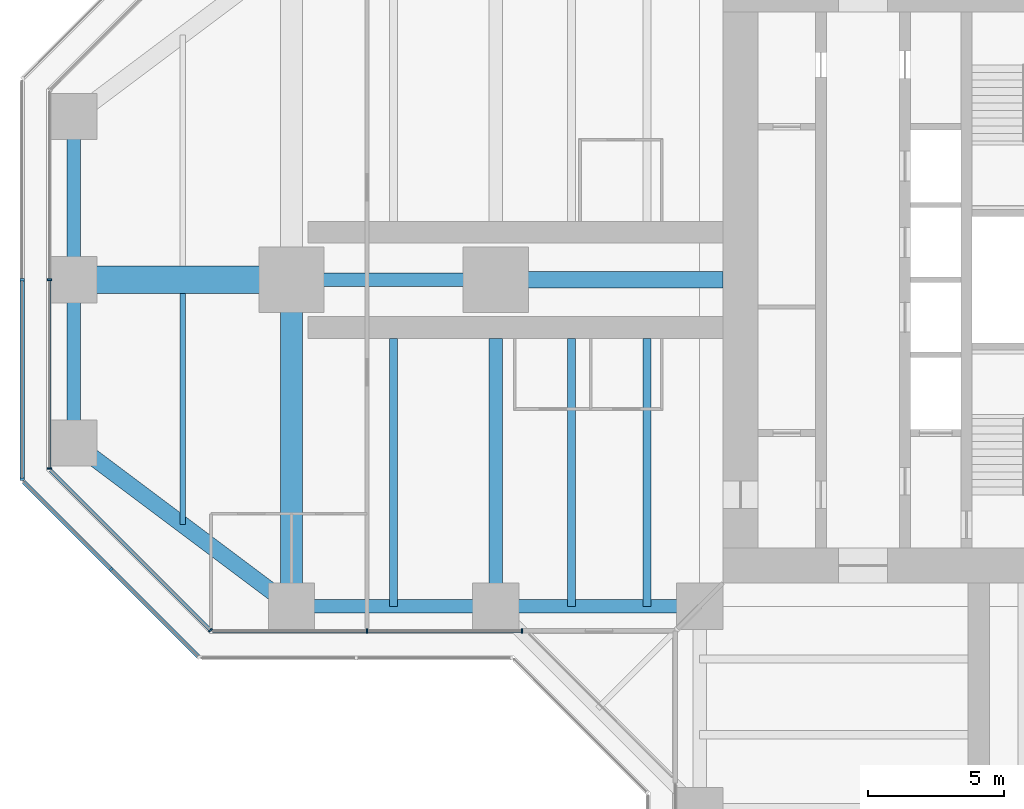
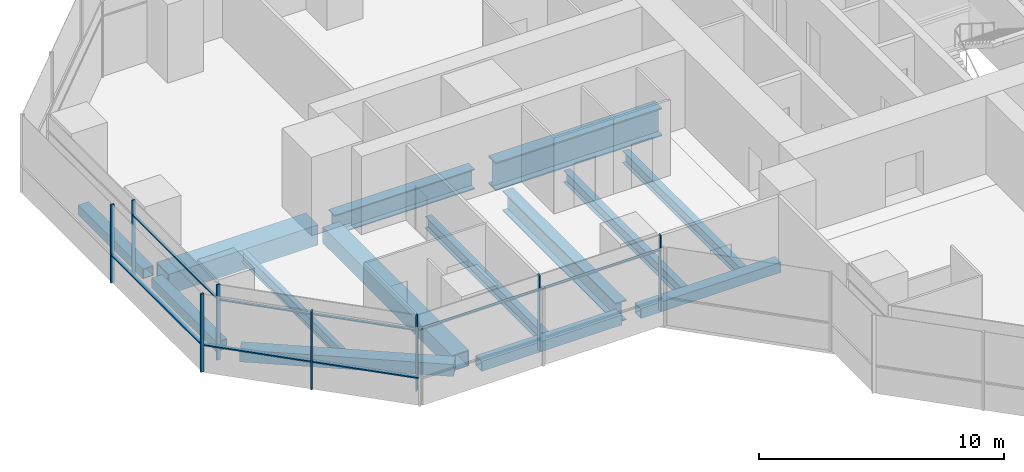
# One storey, part 3 of 20: 15 members, 14 beams, 5 elements without a shape of their own.
"""IFC4 building model written with IfcOpenShell, lengths in metres."""

from ifc_helpers import new_model, si_unit, direction, frame, origin, origin_2d, place, context, subcontext, project, spatial, rectangle, hollow_rectangle, i_section, extrude, material, material_profile, profile_set, type_object, element, aggregate, save


model = new_model("IFC4")

# Units and contexts
model_context = context("Model", 3, precision=1e-05, world=origin(), true_north=direction((0.0, 1.0)))
body_context = subcontext(model_context, "Body", "Model", "MODEL_VIEW")
ifc_project = project(units=[si_unit("LENGTHUNIT", "METRE"), si_unit("AREAUNIT", "SQUARE_METRE"), si_unit("VOLUMEUNIT", "CUBIC_METRE"), si_unit("PLANEANGLEUNIT", "RADIAN"), si_unit("MASSUNIT", "GRAM", prefix="KILO")], contexts=[model_context])

# Site, building, storey
site_placement = place(None, origin())
site = spatial("IfcSite", under=ifc_project, at=site_placement, CompositionType="ELEMENT")
building_placement = place(site_placement, origin())
building = spatial("IfcBuilding", under=site, at=building_placement, Name="Mizan Broadcast Tower", CompositionType="ELEMENT")
storey_placement = place(building_placement, frame((0.0, 0.0, 143.699951171875)))
storey = spatial("IfcBuildingStorey", under=building, at=storey_placement, Name="L32", CompositionType="ELEMENT", Elevation=143.699951171875)

# Beams
ifc_material_1 = material(Name="Steel S355", Category="steel")
ifc_material_profile_1 = material_profile(ifc_material_1, hollow_rectangle(XDim=0.5, YDim=0.5, WallThickness=0.030029296875, at=origin_2d()), Name="BOX 500x500x30")
ifc_profile_set_1 = profile_set([ifc_material_profile_1], Name="Steel S355")
beam_type_1 = type_object("IfcBeamType", Name="EDGE BEAM BOX 500x500x30", PredefinedType="SPANDREL", material=ifc_profile_set_1)
beam_1_placement = place(storey_placement, frame((-35.0, 5.639892578125, -0.3798828125), z_axis=(0.0, -1.0, 0.0), x_axis=(1.0, 0.0, 0.0)))
element("IfcBeam", 1, at=beam_1_placement, inside=storey, type_object=beam_type_1, Name="Edge beam BOX 500x500x30 L32 west arm", PredefinedType="SPANDREL", context=body_context, shape_type="SweptSolid", body=[
    extrude(hollow_rectangle(XDim=0.5, YDim=0.5, WallThickness=0.030029296875, at=origin_2d()), origin(), (0.0, 0.0, 1.0), 5.27978515625),
])
for number, where, z_axis, x_axis, name in (
    (2, (-12.449951171875, -12.0, -0.3798828125), (-1.0, 0.0, 0.0), (0.0, -1.0, 0.0), "Edge beam BOX 500x500x30 L32 west arm"),
    (3, (-19.949951171875, -12.0, -0.3798828125), (-1.0, 0.0, 0.0), (0.0, -1.0, 0.0), "Edge beam BOX 500x500x30 L32 west arm"),
):
    element("IfcBeam", number, at=place(storey_placement, frame(where, z_axis=z_axis, x_axis=x_axis)), inside=storey, type_object=beam_type_1, Name=name, PredefinedType="SPANDREL", context=body_context, shape_type="SweptSolid", body=[
        extrude(hollow_rectangle(XDim=0.5, YDim=0.5, WallThickness=0.030029296875, at=origin_2d()), origin(), (0.0, 0.0, 1.0), 6.60009765625),
    ])
beam_2_placement = place(storey_placement, frame((-35.0, -5.639892578125, -0.3798828125), z_axis=(0.0, 1.0, 0.0), x_axis=(-1.0, 0.0, 0.0)))
element("IfcBeam", 4, at=beam_2_placement, inside=storey, type_object=beam_type_1, Name="Edge beam BOX 500x500x30 L32 west arm", PredefinedType="SPANDREL", context=body_context, shape_type="SweptSolid", body=[
    extrude(hollow_rectangle(XDim=0.5, YDim=0.5, WallThickness=0.030029296875, at=origin_2d()), origin(), (0.0, 0.0, 1.0), 5.27978515625),
])
ifc_material_2 = material(Name="Steel S355", Category="steel")
ifc_material_profile_2 = material_profile(ifc_material_2, hollow_rectangle(XDim=0.60009765625, YDim=0.60009765625, WallThickness=0.030029296875, at=origin_2d()), Name="BOX 600x600x30")
ifc_profile_set_2 = profile_set([ifc_material_profile_2], Name="Steel S355")
beam_type_2 = type_object("IfcBeamType", Name="EDGE BEAM BOX 600x600x30", PredefinedType="SPANDREL", material=ifc_profile_set_2)
beam_3_placement = place(storey_placement, frame((-27.47998046875, -11.639892578125, -0.429931640625), z_axis=(-0.800013316712, 0.599982243973, 0.0), x_axis=(-0.599982243973, -0.800013316712, 0.0)))
element("IfcBeam", 5, at=beam_3_placement, inside=storey, type_object=beam_type_2, Name="Edge beam BOX 600x600x30 L32 west arm", PredefinedType="SPANDREL", context=body_context, shape_type="SweptSolid", body=[
    extrude(hollow_rectangle(XDim=0.60009765625, YDim=0.60009765625, WallThickness=0.030029296875, at=origin_2d()), origin(), (0.0, 0.0, 1.0), 8.7998046875),
])
ifc_material_3 = material(Name="Steel S460", Category="steel")
ifc_material_profile_3 = material_profile(ifc_material_3, hollow_rectangle(XDim=1.0, YDim=1.0, WallThickness=0.06005859375, at=origin_2d()), Name="BOX 1000x1000x60")
ifc_profile_set_3 = profile_set([ifc_material_profile_3], Name="Steel S460")
beam_type_3 = type_object("IfcBeamType", Name="GIRDER BOX 1000x1000x60", PredefinedType="BEAM", material=ifc_profile_set_3)
beam_4_placement = place(storey_placement, frame((-27.47998046875, 0.0, -0.6298828125), z_axis=(-1.0, 0.0, 0.0), x_axis=(0.0, -1.0, 0.0)))
element("IfcBeam", 6, at=beam_4_placement, inside=storey, type_object=beam_type_3, Name="Girder BOX 1000x1000x60 L32 west arm", PredefinedType="BEAM", context=body_context, shape_type="SweptSolid", body=[
    extrude(hollow_rectangle(XDim=1.0, YDim=1.0, WallThickness=0.06005859375, at=origin_2d()), origin(), (0.0, 0.0, 1.0), 7.0400390625),
])
ifc_material_4 = material(Name="Steel S460", Category="steel")
ifc_material_profile_4 = material_profile(ifc_material_4, hollow_rectangle(XDim=0.800048828125, YDim=0.800048828125, WallThickness=0.050048828125, at=origin_2d()), Name="BOX 800x800x50")
ifc_profile_set_4 = profile_set([ifc_material_profile_4], Name="Steel S460")
beam_type_4 = type_object("IfcBeamType", Name="GIRDER BOX 800x800x50", PredefinedType="BEAM", material=ifc_profile_set_4)
beam_5_placement = place(storey_placement, frame((-27.0, -11.280029296875, -0.530029296875), z_axis=(0.0, 1.0, 0.0), x_axis=(-1.0, 0.0, 0.0)))
element("IfcBeam", 7, at=beam_5_placement, inside=storey, type_object=beam_type_4, Name="Girder BOX 800x800x50 L32 west arm", PredefinedType="BEAM", context=body_context, shape_type="SweptSolid", body=[
    extrude(hollow_rectangle(XDim=0.800048828125, YDim=0.800048828125, WallThickness=0.050048828125, at=origin_2d()), origin(), (0.0, 0.0, 1.0), 10.56005859375),
])
ifc_material_5 = material(Name="Steel S460", Category="steel")
ifc_material_profile_5 = material_profile(ifc_material_5, i_section(OverallWidth=0.5, OverallDepth=1.0, WebThickness=0.02490234375, FlangeThickness=0.050048828125, at=origin_2d()), Name="WPG 1000x500")
ifc_profile_set_5 = profile_set([ifc_material_profile_5], Name="Steel S460")
beam_type_5 = type_object("IfcBeamType", Name="GIRDER WPG 1000x500", PredefinedType="BEAM", material=ifc_profile_set_5)
beam_6_placement = place(storey_placement, frame((-19.949951171875, 0.0, -0.6298828125), z_axis=(-1.0, 0.0, 0.0), x_axis=(0.0, -1.0, 0.0)))
element("IfcBeam", 8, at=beam_6_placement, inside=storey, type_object=beam_type_5, Name="Girder WPG 1000x500 L32 west arm", PredefinedType="BEAM", context=body_context, shape_type="SweptSolid", body=[
    extrude(i_section(OverallWidth=0.5, OverallDepth=1.0, WebThickness=0.02490234375, FlangeThickness=0.050048828125, at=origin_2d()), origin(), (0.0, 0.0, 1.0), 6.60009765625),
])
beam_7_placement = place(storey_placement, frame((-19.5, -11.408935546875, -0.6298828125), z_axis=(0.0, 1.0, 0.0), x_axis=(-1.0, 0.0, 0.0)))
element("IfcBeam", 9, at=beam_7_placement, inside=storey, type_object=beam_type_5, Name="Girder WPG 1000x500 L32 west arm", PredefinedType="BEAM", context=body_context, shape_type="SweptSolid", body=[
    extrude(i_section(OverallWidth=0.5, OverallDepth=1.0, WebThickness=0.02490234375, FlangeThickness=0.050048828125, at=origin_2d()), origin(), (0.0, 0.0, 1.0), 9.259033203125),
])
ifc_material_6 = material(Name="Steel S460", Category="steel")
ifc_material_profile_6 = material_profile(ifc_material_6, i_section(OverallWidth=0.60009765625, OverallDepth=1.39990234375, WebThickness=0.02490234375, FlangeThickness=0.06005859375, at=origin_2d()), Name="WPG 1400x600")
ifc_profile_set_6 = profile_set([ifc_material_profile_6], Name="Steel S460")
beam_type_6 = type_object("IfcBeamType", Name="GIRDER WPG 1400x600", PredefinedType="BEAM", material=ifc_profile_set_6)
beam_8_placement = place(storey_placement, frame((-11.14990234375, 0.0, -0.829833984375), z_axis=(-1.0, 0.0, 0.0), x_axis=(0.0, -1.0, 0.0)))
element("IfcBeam", 10, at=beam_8_placement, inside=storey, type_object=beam_type_6, Name="Girder WPG 1400x600 L32 west arm", PredefinedType="BEAM", context=body_context, shape_type="SweptSolid", body=[
    extrude(i_section(OverallWidth=0.60009765625, OverallDepth=1.39990234375, WebThickness=0.02490234375, FlangeThickness=0.06005859375, at=origin_2d()), origin(), (0.0, 0.0, 1.0), 7.84912109375),
])

# Curtain wall, members
ifc_material_7 = material(Name="Aluminium framed glazing", Category="aluminium")
curtain_wall_type_1 = type_object("IfcCurtainWallType", Name="INNER SKIN MID ZONE", PredefinedType="USERDEFINED", material=ifc_material_7)
curtain_wall_1_placement = place(storey_placement, origin())
curtain_wall_1 = element("IfcCurtainWall", 11, at=curtain_wall_1_placement, inside=storey, type_object=curtain_wall_type_1, Name="Inner skin mid zone L32 W end", ObjectType="INNER SKIN MID ZONE", PredefinedType="USERDEFINED")
ifc_material_8 = material(Name="Aluminium, pale anodised", Category="aluminium")
ifc_material_profile_7 = material_profile(ifc_material_8, rectangle(XDim=0.159912109375, YDim=0.06005859375, at=origin_2d()), Name="MULLION 160x60")
ifc_profile_set_7 = profile_set([ifc_material_profile_7], Name="Aluminium, pale anodised")
member_type_1 = type_object("IfcMemberType", Name="INNER SKIN MULLION 60x160", PredefinedType="MULLION", material=ifc_profile_set_7)
member_1_placement = place(storey_placement, frame((-35.89990234375, 0.0, 0.0), z_axis=(0.0, 0.0, 1.0), x_axis=(1.0, 0.0, 0.0)))
member_1 = element("IfcMember", 12, at=member_1_placement, type_object=member_type_1, Name="Inner skin mid zone L32 W end mullion 2", PredefinedType="MULLION", context=body_context, shape_type="SweptSolid", body=[
    extrude(rectangle(XDim=0.159912109375, YDim=0.06005859375, at=origin_2d()), origin(), (0.0, 0.0, 1.0), 3.77001953125),
])
member_2_placement = place(storey_placement, frame((-35.89990234375, -6.928466796875, 0.0), z_axis=(0.0, 0.0, 1.0), x_axis=(1.0, 0.0, 0.0)))
member_2 = element("IfcMember", 13, at=member_2_placement, type_object=member_type_1, Name="Inner skin mid zone L32 W end mullion 3", PredefinedType="MULLION", context=body_context, shape_type="SweptSolid", body=[
    extrude(rectangle(XDim=0.159912109375, YDim=0.06005859375, at=origin_2d()), origin(), (0.0, 0.0, 1.0), 3.77001953125),
])

# Curtain wall, member
curtain_wall_2_placement = place(storey_placement, origin())
curtain_wall_2 = element("IfcCurtainWall", 14, at=curtain_wall_2_placement, inside=storey, type_object=curtain_wall_type_1, Name="Inner skin mid zone L32 W chamfer", ObjectType="INNER SKIN MID ZONE", PredefinedType="USERDEFINED")
member_3_placement = place(storey_placement, frame((-29.979736328125, -12.87890625, 0.0), z_axis=(0.0, 0.0, 1.0), x_axis=(0.707106781187, 0.707106781187, 0.0)))
member_3 = element("IfcMember", 15, at=member_3_placement, type_object=member_type_1, Name="Inner skin mid zone L32 W chamfer mullion 2", PredefinedType="MULLION", context=body_context, shape_type="SweptSolid", body=[
    extrude(rectangle(XDim=0.159912109375, YDim=0.06005859375, at=origin_2d()), origin(), (0.0, 0.0, 1.0), 3.77001953125),
])

# Curtain wall, members
curtain_wall_3_placement = place(storey_placement, origin())
curtain_wall_3 = element("IfcCurtainWall", 16, at=curtain_wall_3_placement, inside=storey, type_object=curtain_wall_type_1, Name="Inner skin mid zone L32 W side", ObjectType="INNER SKIN MID ZONE", PredefinedType="USERDEFINED")
member_4_placement = place(storey_placement, frame((-24.229248046875, -12.89990234375, 0.0), z_axis=(0.0, 0.0, 1.0), x_axis=(0.0, 1.0, 0.0)))
member_4 = element("IfcMember", 17, at=member_4_placement, type_object=member_type_1, Name="Inner skin mid zone L32 W side mullion 2", PredefinedType="MULLION", context=body_context, shape_type="SweptSolid", body=[
    extrude(rectangle(XDim=0.159912109375, YDim=0.06005859375, at=origin_2d()), origin(), (0.0, 0.0, 1.0), 3.77001953125),
])
member_5_placement = place(storey_placement, frame((-18.530029296875, -12.89990234375, 0.0), z_axis=(0.0, 0.0, 1.0), x_axis=(0.0, 1.0, 0.0)))
member_5 = element("IfcMember", 18, at=member_5_placement, type_object=member_type_1, Name="Inner skin mid zone L32 W side mullion 3", PredefinedType="MULLION", context=body_context, shape_type="SweptSolid", body=[
    extrude(rectangle(XDim=0.159912109375, YDim=0.06005859375, at=origin_2d()), origin(), (0.0, 0.0, 1.0), 3.77001953125),
])

# Member
ifc_material_9 = material(Name="Aluminium, pale anodised", Category="aluminium")
ifc_material_profile_8 = material_profile(ifc_material_9, rectangle(XDim=0.1201171875, YDim=0.06005859375, at=origin_2d()), Name="TRANSOM 120x60")
ifc_profile_set_8 = profile_set([ifc_material_profile_8], Name="Aluminium, pale anodised")
member_type_2 = type_object("IfcMemberType", Name="INNER SKIN TRANSOM 60x120", PredefinedType="USERDEFINED", material=ifc_profile_set_8)
member_6_placement = place(storey_placement, frame((-35.89990234375, -0.030029296875, 3.030029296875), z_axis=(0.0, -1.0, 0.0), x_axis=(1.0, 0.0, 0.0)))
member_6 = element("IfcMember", 19, at=member_6_placement, type_object=member_type_2, Name="Inner skin mid zone L32 W end transom 2.1", ObjectType="TRANSOM", PredefinedType="USERDEFINED", context=body_context, shape_type="SweptSolid", body=[
    extrude(rectangle(XDim=0.1201171875, YDim=0.06005859375, at=origin_2d()), origin(), (0.0, 0.0, 1.0), 6.86865234375),
])

aggregate(curtain_wall_1, [member_1, member_2, member_6])

member_7_placement = place(storey_placement, frame((-35.857666015625, -7.0009765625, 3.030029296875), z_axis=(0.707106781187, -0.707106781187, 0.0), x_axis=(0.707106781187, 0.707106781187, 0.0)))
member_7 = element("IfcMember", 20, at=member_7_placement, type_object=member_type_2, Name="Inner skin mid zone L32 W chamfer transom 1.1", ObjectType="TRANSOM", PredefinedType="USERDEFINED", context=body_context, shape_type="SweptSolid", body=[
    extrude(rectangle(XDim=0.1201171875, YDim=0.06005859375, at=origin_2d()), origin(), (0.0, 0.0, 1.0), 8.28271484375),
])

aggregate(curtain_wall_2, [member_3, member_7])

member_8_placement = place(storey_placement, frame((-29.898681640625, -12.89990234375, 3.030029296875), z_axis=(1.0, 0.0, 0.0), x_axis=(0.0, 1.0, 0.0)))
member_8 = element("IfcMember", 21, at=member_8_placement, type_object=member_type_2, Name="Inner skin mid zone L32 W side transom 1.1", ObjectType="TRANSOM", PredefinedType="USERDEFINED", context=body_context, shape_type="SweptSolid", body=[
    extrude(rectangle(XDim=0.1201171875, YDim=0.06005859375, at=origin_2d()), origin(), (0.0, 0.0, 1.0), 5.639404296875),
])

member_9_placement = place(storey_placement, frame((-24.19921875, -12.89990234375, 3.030029296875), z_axis=(1.0, 0.0, 0.0), x_axis=(0.0, 1.0, 0.0)))
member_9 = element("IfcMember", 22, at=member_9_placement, type_object=member_type_2, Name="Inner skin mid zone L32 W side transom 2.1", ObjectType="TRANSOM", PredefinedType="USERDEFINED", context=body_context, shape_type="SweptSolid", body=[
    extrude(rectangle(XDim=0.1201171875, YDim=0.06005859375, at=origin_2d()), origin(), (0.0, 0.0, 1.0), 5.63916015625),
])

aggregate(curtain_wall_3, [member_4, member_5, member_8, member_9])

# Curtain wall, members
ifc_material_10 = material(Name="Aluminium framed glazing", Category="aluminium")
curtain_wall_type_2 = type_object("IfcCurtainWallType", Name="OUTER SKIN", PredefinedType="USERDEFINED", material=ifc_material_10)
curtain_wall_4_placement = place(storey_placement, origin())
curtain_wall_4 = element("IfcCurtainWall", 23, at=curtain_wall_4_placement, inside=storey, type_object=curtain_wall_type_2, Name="Outer skin L32 W end", ObjectType="OUTER SKIN", PredefinedType="USERDEFINED")
ifc_material_11 = material(Name="Aluminium, pale anodised", Category="aluminium")
ifc_material_profile_9 = material_profile(ifc_material_11, rectangle(XDim=0.159912109375, YDim=0.080078125, at=origin_2d()), Name="MULLION 160x80")
ifc_profile_set_9 = profile_set([ifc_material_profile_9], Name="Aluminium, pale anodised")
member_type_3 = type_object("IfcMemberType", Name="OUTER SKIN MULLION 80x160", PredefinedType="MULLION", material=ifc_profile_set_9)
member_10_placement = place(storey_placement, frame((-36.89990234375, 0.0, 0.0), z_axis=(0.0, 0.0, 1.0), x_axis=(1.0, 0.0, 0.0)))
member_10 = element("IfcMember", 24, at=member_10_placement, type_object=member_type_3, Name="Outer skin L32 W end mullion 2", PredefinedType="MULLION", context=body_context, shape_type="SweptSolid", body=[
    extrude(rectangle(XDim=0.159912109375, YDim=0.080078125, at=origin_2d()), origin(), (0.0, 0.0, 1.0), 3.900146484375),
])
member_11_placement = place(storey_placement, frame((-36.89990234375, -7.332763671875, 0.0), z_axis=(0.0, 0.0, 1.0), x_axis=(1.0, 0.0, 0.0)))
member_11 = element("IfcMember", 25, at=member_11_placement, type_object=member_type_3, Name="Outer skin L32 W end mullion 3", PredefinedType="MULLION", context=body_context, shape_type="SweptSolid", body=[
    extrude(rectangle(XDim=0.159912109375, YDim=0.080078125, at=origin_2d()), origin(), (0.0, 0.0, 1.0), 3.900146484375),
])

# Curtain wall, member
curtain_wall_5_placement = place(storey_placement, origin())
curtain_wall_5 = element("IfcCurtainWall", 26, at=curtain_wall_5_placement, inside=storey, type_object=curtain_wall_type_2, Name="Outer skin L32 W chamfer", ObjectType="OUTER SKIN", PredefinedType="USERDEFINED")
member_12_placement = place(storey_placement, frame((-33.636474609375, -10.636474609375, 0.0), z_axis=(0.0, 0.0, 1.0), x_axis=(0.707106781187, 0.707106781187, 0.0)))
member_12 = element("IfcMember", 27, at=member_12_placement, type_object=member_type_3, Name="Outer skin L32 W chamfer mullion 2", PredefinedType="MULLION", context=body_context, shape_type="SweptSolid", body=[
    extrude(rectangle(XDim=0.159912109375, YDim=0.080078125, at=origin_2d()), origin(), (0.0, 0.0, 1.0), 3.900146484375),
])

# Member
ifc_material_12 = material(Name="Aluminium, pale anodised", Category="aluminium")
ifc_material_profile_10 = material_profile(ifc_material_12, rectangle(XDim=0.159912109375, YDim=0.06005859375, at=origin_2d()), Name="TRANSOM 160x60")
ifc_profile_set_10 = profile_set([ifc_material_profile_10], Name="Aluminium, pale anodised")
member_type_4 = type_object("IfcMemberType", Name="OUTER SKIN TRANSOM 60x160", PredefinedType="USERDEFINED", material=ifc_profile_set_10)
member_13_placement = place(storey_placement, frame((-36.89990234375, -0.0400390625, 1.400146484375), z_axis=(0.0, -1.0, 0.0), x_axis=(1.0, 0.0, 0.0)))
member_13 = element("IfcMember", 28, at=member_13_placement, type_object=member_type_4, Name="Outer skin L32 W end transom 2.1", ObjectType="TRANSOM", PredefinedType="USERDEFINED", context=body_context, shape_type="SweptSolid", body=[
    extrude(rectangle(XDim=0.159912109375, YDim=0.06005859375, at=origin_2d()), origin(), (0.0, 0.0, 1.0), 7.252685546875),
])

aggregate(curtain_wall_4, [member_10, member_11, member_13])

member_14_placement = place(storey_placement, frame((-36.843505859375, -7.429443359375, 1.400146484375), z_axis=(0.707106781187, -0.707106781187, 0.0), x_axis=(0.707106781187, 0.707106781187, 0.0)))
member_14 = element("IfcMember", 29, at=member_14_placement, type_object=member_type_4, Name="Outer skin L32 W chamfer transom 1.1", ObjectType="TRANSOM", PredefinedType="USERDEFINED", context=body_context, shape_type="SweptSolid", body=[
    extrude(rectangle(XDim=0.159912109375, YDim=0.06005859375, at=origin_2d()), origin(), (0.0, 0.0, 1.0), 4.495361328125),
])

member_15_placement = place(storey_placement, frame((-33.608154296875, -10.664794921875, 1.400146484375), z_axis=(0.707106781187, -0.707106781187, 0.0), x_axis=(0.707106781187, 0.707106781187, 0.0)))
member_15 = element("IfcMember", 30, at=member_15_placement, type_object=member_type_4, Name="Outer skin L32 W chamfer transom 2.1", ObjectType="TRANSOM", PredefinedType="USERDEFINED", context=body_context, shape_type="SweptSolid", body=[
    extrude(rectangle(XDim=0.159912109375, YDim=0.06005859375, at=origin_2d()), origin(), (0.0, 0.0, 1.0), 4.495361328125),
])

aggregate(curtain_wall_5, [member_12, member_14, member_15])

# Beams
ifc_material_13 = material(Name="Steel S355", Category="steel")
ifc_material_profile_11 = material_profile(ifc_material_13, i_section(OverallWidth=0.300048828125, OverallDepth=0.590087890625, WebThickness=0.012939453125, FlangeThickness=0.02490234375, FilletRadius=0.027099609375, at=origin_2d()), Name="HEA 600")
ifc_profile_set_11 = profile_set([ifc_material_profile_11], Name="Steel S355")
beam_type_7 = type_object("IfcBeamType", Name="SECONDARY BEAM HEA 600", PredefinedType="JOIST", material=ifc_profile_set_11)
for number, where, z_axis, x_axis, name in (
    (31, (-13.933349609375, -12.0, -0.425048828125), (0.0, 1.0, 0.0), (-1.0, 0.0, 0.0), "Secondary beam HEA 600 L32 west arm"),
    (32, (-16.716552734375, -12.0, -0.425048828125), (0.0, 1.0, 0.0), (-1.0, 0.0, 0.0), "Secondary beam HEA 600 L32 west arm"),
    (33, (-23.25, -12.0, -0.425048828125), (0.0, 1.0, 0.0), (-1.0, 0.0, 0.0), "Secondary beam HEA 600 L32 west arm"),
):
    element("IfcBeam", number, at=place(storey_placement, frame(where, z_axis=z_axis, x_axis=x_axis)), inside=storey, type_object=beam_type_7, Name=name, PredefinedType="JOIST", context=body_context, shape_type="SweptSolid", body=[
        extrude(i_section(OverallWidth=0.300048828125, OverallDepth=0.590087890625, WebThickness=0.012939453125, FlangeThickness=0.02490234375, FilletRadius=0.027099609375, at=origin_2d()), origin(), (0.0, 0.0, 1.0), 9.85009765625),
    ])
ifc_material_14 = material(Name="Steel S355", Category="steel")
ifc_material_profile_12 = material_profile(ifc_material_14, i_section(OverallWidth=0.2099609375, OverallDepth=0.550048828125, WebThickness=0.010986328125, FlangeThickness=0.01708984375, FilletRadius=0.02392578125, at=origin_2d()), Name="IPE 550")
ifc_profile_set_12 = profile_set([ifc_material_profile_12], Name="Steel S355")
beam_type_8 = type_object("IfcBeamType", Name="SECONDARY BEAM IPE 550", PredefinedType="JOIST", material=ifc_profile_set_12)
beam_9_placement = place(storey_placement, frame((-31.0, -9.0, -0.405029296875), z_axis=(0.0, 1.0, 0.0), x_axis=(-1.0, 0.0, 0.0)))
element("IfcBeam", 34, at=beam_9_placement, inside=storey, type_object=beam_type_8, Name="Secondary beam IPE 550 L32 west arm", PredefinedType="JOIST", context=body_context, shape_type="SweptSolid", body=[
    extrude(i_section(OverallWidth=0.2099609375, OverallDepth=0.550048828125, WebThickness=0.010986328125, FlangeThickness=0.01708984375, FilletRadius=0.02392578125, at=origin_2d()), origin(), (0.0, 0.0, 1.0), 8.5),
])

save(model, "model.ifc")
